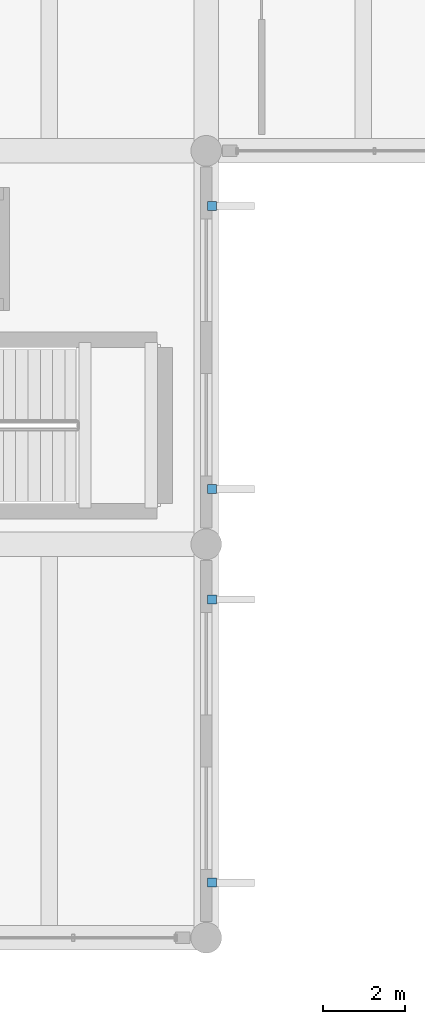
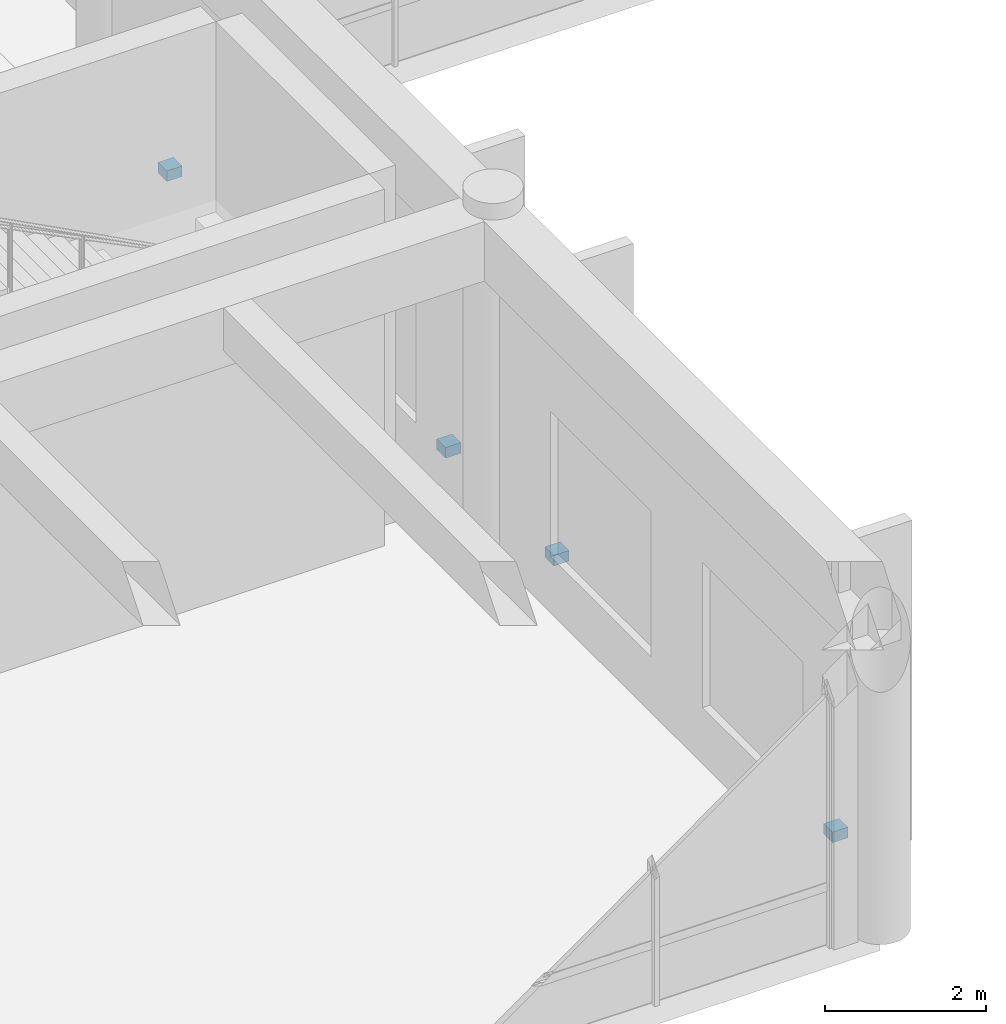
# One storey, part 138 of 148: 4 discrete accessories.
"""IFC4 building model written with IfcOpenShell, lengths in metres."""

import ifcopenshell
import ifcopenshell.guid

model = None  # the IFC model being written
_history = None  # IfcOwnerHistory: only IFC2X3 demands one
_inside = {}  # id of a spatial element -> (the spatial element, [elements in it])
_under = {}  # id of a project, library or spatial element -> (it, [spatial elements below it])
_declared = {}  # id of a project -> (the project, [libraries it declares])
_typed = {}  # id of a type object -> (the type object, [elements of that type])
_made_of = {}  # id of a material, layer set ... -> (it, [elements and type objects made of it])


def new_model(schema):
    """Start an empty IFC model of exactly this schema.

    Asked for "IFC4X3", IfcOpenShell would pick the latest addendum, in which some entities
    have other attributes; the version numbers below select the first issue.
    IFC2X3 requires an IfcOwnerHistory on every rooted entity: one is made here for all.
    """
    global model, _history
    if schema == "IFC4X3":
        model = ifcopenshell.file(schema_version=(4, 3, 0, 0))
    else:
        model = ifcopenshell.file(schema=schema)
    _inside.clear()
    _under.clear()
    _declared.clear()
    _typed.clear()
    _made_of.clear()
    _history = None
    if model.schema == "IFC2X3":
        org = make("IfcOrganization", Name="unknown")
        user = make(
            "IfcPersonAndOrganization",
            ThePerson=make("IfcPerson", FamilyName="unknown"),
            TheOrganization=org,
        )
        app = make(
            "IfcApplication",
            ApplicationDeveloper=org,
            Version="unknown",
            ApplicationFullName="unknown",
            ApplicationIdentifier="unknown",
        )
        _history = make(
            "IfcOwnerHistory",
            OwningUser=user,
            OwningApplication=app,
            ChangeAction="ADDED",
            CreationDate=0,
        )
    return model


def make(cls, **values):
    """One entity of the class cls with the attributes given. An attribute that is None is left unset."""
    return model.create_entity(
        cls, **{name: value for name, value in values.items() if value is not None}
    )


def rooted(cls, **values):
    """An entity with a GlobalId (a new one), such as an element, a storey or a relation."""
    return make(cls, GlobalId=ifcopenshell.guid.new(), OwnerHistory=_history, **values)


def si_unit(unit_type, name, prefix=None):
    """IfcSIUnit, for example si_unit("LENGTHUNIT", "METRE", prefix="MILLI")."""
    return make("IfcSIUnit", UnitType=unit_type, Prefix=prefix, Name=name)


def assignment(units):
    """IfcUnitAssignment: the units of a project."""
    return None if units is None else make("IfcUnitAssignment", Units=units)


def point(xyz):
    """IfcCartesianPoint."""
    return None if xyz is None else make("IfcCartesianPoint", Coordinates=xyz)


def direction(xyz):
    """IfcDirection."""
    return None if xyz is None else make("IfcDirection", DirectionRatios=xyz)


def frame(location, z_axis=None, x_axis=None):
    """IfcAxis2Placement3D, a coordinate frame: its origin and axes. An axis left out is left unset."""
    return make(
        "IfcAxis2Placement3D",
        Location=point(location),
        Axis=direction(z_axis),
        RefDirection=direction(x_axis),
    )


def frame_2d(location, x_axis=None):
    """IfcAxis2Placement2D, a coordinate frame in the plane: its origin and x axis."""
    return make(
        "IfcAxis2Placement2D", Location=point(location), RefDirection=direction(x_axis)
    )


def origin():
    """The frame at (0, 0, 0) with its axes left unset."""
    return frame((0.0, 0.0, 0.0))


def origin_2d():
    """The frame at (0, 0) in the plane with its x axis left unset."""
    return frame_2d((0.0, 0.0))


def place(relative_to, where):
    """IfcLocalPlacement: puts the frame where relative to a parent placement (None: the world)."""
    return make(
        "IfcLocalPlacement", PlacementRelTo=relative_to, RelativePlacement=where
    )


def context(
    kind, dimensions, precision=None, world=None, true_north=None, identifier=None
):
    """IfcGeometricRepresentationContext, for example the 3D "Model" context."""
    return make(
        "IfcGeometricRepresentationContext",
        ContextIdentifier=identifier,
        ContextType=kind,
        CoordinateSpaceDimension=dimensions,
        Precision=precision,
        WorldCoordinateSystem=world,
        TrueNorth=true_north,
    )


def subcontext(parent, identifier, kind, view, scale=None):
    """IfcGeometricRepresentationSubContext, for example "Body" below "Model"."""
    return make(
        "IfcGeometricRepresentationSubContext",
        ContextIdentifier=identifier,
        ContextType=kind,
        ParentContext=parent,
        TargetScale=scale,
        TargetView=view,
    )


def project(units=None, contexts=None):
    """IfcProject with its units and contexts."""
    return rooted(
        "IfcProject",
        Name="project",
        RepresentationContexts=contexts,
        UnitsInContext=assignment(units),
    )


def spatial(cls, under=None, at=None, **own):
    """A site, building, storey or space (cls), placed at a placement, below another one or the project."""
    s = rooted(cls, ObjectPlacement=at, **own)
    if under is not None:
        _under.setdefault(under.id(), (under, []))[1].append(s)
    return s


def profile(cls, at=None, kind="AREA", **sizes):
    """A parametric profile (cls). Its sizes go by their IFC names, for example OverallWidth=200.0."""
    return make(cls, ProfileType=kind, Position=at, **sizes)


def rectangle(**sizes):
    """IfcRectangleProfileDef."""
    return profile("IfcRectangleProfileDef", **sizes)


def extrude(swept, where, along, depth):
    """IfcExtrudedAreaSolid: the profile swept, set in the frame where, extruded along a direction by depth."""
    return make(
        "IfcExtrudedAreaSolid",
        SweptArea=swept,
        Position=where,
        ExtrudedDirection=direction(along),
        Depth=depth,
    )


def shape(context_of_items, identifier, shape_type, items):
    """IfcShapeRepresentation: the items that make up one representation, for example the "Body"."""
    return make(
        "IfcShapeRepresentation",
        ContextOfItems=context_of_items,
        RepresentationIdentifier=identifier,
        RepresentationType=shape_type,
        Items=items,
    )


def material(Name=None, Category=None):
    """IfcMaterial."""
    return make("IfcMaterial", Name=Name, Category=Category)


def made_of(thing, what):
    """Note that an element or type object is made of a material, layer set ...; save() writes the relation."""
    if what is not None:
        _made_of.setdefault(what.id(), (what, []))[1].append(thing)
    return thing


def type_object(cls, material=None, **own):
    """A type object (cls), such as IfcWallType, which elements share."""
    return made_of(rooted(cls, **own), material)


def element(
    cls,
    number,
    at=None,
    inside=None,
    cuts=None,
    type_object=None,
    material=None,
    context=None,
    identifier="Body",
    shape_type=None,
    held_by="IfcProductDefinitionShape",
    body=None,
    shapes=None,
    **own,
):
    """One element of the class cls, such as IfcWall. Its Tag is "e" and its number.

    at: its placement. inside: the storey or other place that contains it. cuts: it is an
    opening in that element (IfcRelVoidsElement). A single representation is given by context,
    identifier, shape_type and body (its items); several are given by shapes. held_by: the class
    of the entity that holds the representations. save() writes the other relations.
    """
    e = rooted(cls, Tag="e%d" % number, ObjectPlacement=at, **own)
    if body is not None:
        shapes = [shape(context, identifier, shape_type, body)]
    if shapes is not None:
        e.Representation = make(held_by, Representations=shapes)
    if inside is not None:
        _inside.setdefault(inside.id(), (inside, []))[1].append(e)
    if cuts is not None:
        rooted(
            "IfcRelVoidsElement", RelatingBuildingElement=cuts, RelatedOpeningElement=e
        )
    if type_object is not None:
        _typed.setdefault(type_object.id(), (type_object, []))[1].append(e)
    return made_of(e, material)


def aggregate(whole, parts):
    """IfcRelAggregates: a whole, such as a stair, and the parts it consists of."""
    return rooted("IfcRelAggregates", RelatingObject=whole, RelatedObjects=parts)


def save(model, path):
    """Write the relations noted so far, then the file.

    IfcRelAggregates (storeys below a building ...), IfcRelContainedInSpatialStructure (elements
    in a storey), IfcRelDefinesByType, IfcRelAssociatesMaterial and IfcRelDeclares: one each for
    every whole, place, type object, material and project.
    """
    for whole, parts in _under.values():
        aggregate(whole, parts)
    for where, things in _inside.values():
        rooted(
            "IfcRelContainedInSpatialStructure",
            RelatedElements=things,
            RelatingStructure=where,
        )
    for kind, things in _typed.values():
        rooted("IfcRelDefinesByType", RelatedObjects=things, RelatingType=kind)
    for what, things in _made_of.values():
        rooted("IfcRelAssociatesMaterial", RelatedObjects=things, RelatingMaterial=what)
    for by, libraries in _declared.values():
        rooted("IfcRelDeclares", RelatingContext=by, RelatedDefinitions=libraries)
    model.write(path)


model = new_model("IFC4")

# Units and contexts
model_context = context("Model", 3, precision=1e-05, world=origin(), true_north=direction((0.0, 1.0)))
body_context = subcontext(model_context, "Body", "Model", "MODEL_VIEW")
ifc_project = project(units=[si_unit("LENGTHUNIT", "METRE"), si_unit("AREAUNIT", "SQUARE_METRE"), si_unit("VOLUMEUNIT", "CUBIC_METRE"), si_unit("PLANEANGLEUNIT", "RADIAN"), si_unit("MASSUNIT", "GRAM", prefix="KILO")], contexts=[model_context])

# Site, building, storey
site_placement = place(None, origin())
site = spatial("IfcSite", under=ifc_project, at=site_placement, CompositionType="ELEMENT")
building_placement = place(site_placement, origin())
building = spatial("IfcBuilding", under=site, at=building_placement, Name="Ologun Quay Terminus", CompositionType="ELEMENT")
storey_placement = place(building_placement, frame((0.0, 0.0, 8.39990234375)))
storey = spatial("IfcBuildingStorey", under=building, at=storey_placement, Name="L02", CompositionType="ELEMENT", Elevation=8.39990234375)

# Discrete accessories
ifc_material = material(Name="Steel S355", Category="steel")
discrete_accessory_type = type_object("IfcDiscreteAccessoryType", Name="Solar Fin Stainless Support Bracket", PredefinedType="BRACKET", material=ifc_material)
for number, where, z_axis, x_axis, name in (
    (1, (126.639892578125, 9.344970703125, 0.52001953125), (0.0, 0.0, 1.0), (1.0, 0.0, 0.0), "BRK-01 Solar Fin Bracket WEW-SA-L02-2-7-1"),
    (2, (126.639892578125, 16.2548828125, 0.52001953125), (0.0, 0.0, 1.0), (1.0, 0.0, 0.0), "BRK-01 Solar Fin Bracket WEW-SA-L02-2-7-2"),
    (3, (126.639892578125, 18.945068359375, 0.52001953125), (0.0, 0.0, 1.0), (1.0, 0.0, 0.0), "BRK-01 Solar Fin Bracket WEW-SA-L02-2-8-1"),
    (4, (126.639892578125, 25.85498046875, 0.52001953125), (0.0, 0.0, 1.0), (1.0, 0.0, 0.0), "BRK-01 Solar Fin Bracket WEW-SA-L02-2-8-2"),
):
    element("IfcDiscreteAccessory", number, at=place(storey_placement, frame(where, z_axis=z_axis, x_axis=x_axis)), inside=storey, type_object=discrete_accessory_type, Name=name, PredefinedType="BRACKET", context=body_context, shape_type="SweptSolid", body=[
        extrude(rectangle(XDim=0.219970703125, YDim=0.219970703125, at=origin_2d()), origin(), (0.0, 0.0, 1.0), 0.159912109375),
    ])

save(model, "model.ifc")
